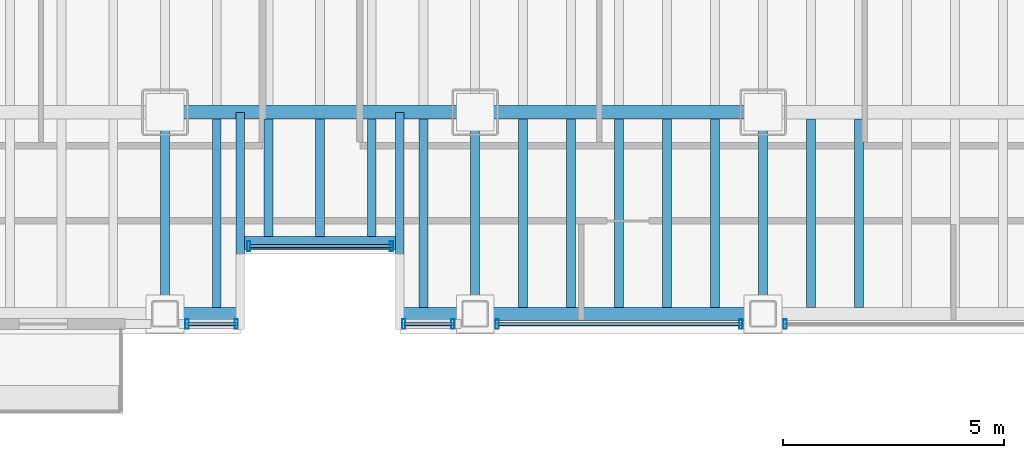
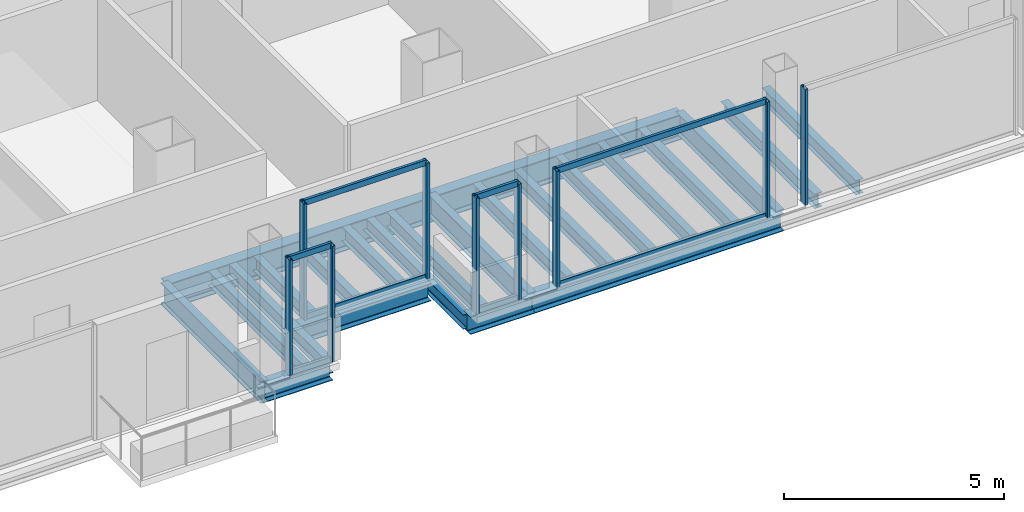
# One storey, part 4 of 20: 23 beams, 17 members, 5 elements without a shape of their own.
"""IFC4 building model written with IfcOpenShell, lengths in metres."""

from ifc_helpers import new_model, si_unit, direction, frame, origin, origin_2d, place, context, subcontext, project, spatial, hollow_rectangle, i_section, extrude, material, material_profile, profile_set, type_object, element, aggregate, save


model = new_model("IFC4")

# Units and contexts
model_context = context("Model", 3, precision=1e-05, world=origin(), true_north=direction((0.0, 1.0)))
body_context = subcontext(model_context, "Body", "Model", "MODEL_VIEW")
ifc_project = project(units=[si_unit("LENGTHUNIT", "METRE"), si_unit("AREAUNIT", "SQUARE_METRE"), si_unit("VOLUMEUNIT", "CUBIC_METRE"), si_unit("PLANEANGLEUNIT", "RADIAN"), si_unit("MASSUNIT", "GRAM", prefix="KILO")], contexts=[model_context])

# Site, building, storey
site_placement = place(None, origin())
site = spatial("IfcSite", under=ifc_project, at=site_placement, CompositionType="ELEMENT")
building_placement = place(site_placement, origin())
building = spatial("IfcBuilding", under=site, at=building_placement, Name="Noeulbin Bourse Tower", CompositionType="ELEMENT")
storey_placement = place(building_placement, frame((0.0, 0.0, 61.60009765625)))
storey = spatial("IfcBuildingStorey", under=building, at=storey_placement, Name="L15", CompositionType="ELEMENT", Elevation=61.60009765625)

# Beams
ifc_material_1 = material(Name="Steel S355", Category="steel")
ifc_material_profile_1 = material_profile(ifc_material_1, i_section(OverallWidth=0.199951171875, OverallDepth=0.60009765625, WebThickness=0.010986328125, FlangeThickness=0.01708984375, FilletRadius=0.02197265625, at=origin_2d()), Name="H-600x200x11x17", Category="LoadBearing")
ifc_profile_set_1 = profile_set([ifc_material_profile_1], Name="Steel S355")
beam_type_1 = type_object("IfcBeamType", Name="BM-GRD-600", PredefinedType="USERDEFINED", material=ifc_profile_set_1)
for number, where, z_axis, x_axis, name in (
    (1, (24.0, 15.449951171875, -0.47998046875), (0.0, 1.0, 0.0), (-1.0, 0.0, 0.0), "Tower Primary Girder NS L15-2.1"),
    (2, (31.0, 15.449951171875, -0.47998046875), (0.0, 1.0, 0.0), (-1.0, 0.0, 0.0), "Tower Primary Girder NS L15-3.1"),
    (3, (37.5, 15.449951171875, -0.47998046875), (0.0, 1.0, 0.0), (-1.0, 0.0, 0.0), "Tower Primary Girder NS L15-4.1"),
):
    element("IfcBeam", number, at=place(storey_placement, frame(where, z_axis=z_axis, x_axis=x_axis)), inside=storey, type_object=beam_type_1, Name=name, ObjectType="GIRDER", PredefinedType="USERDEFINED", context=body_context, shape_type="SweptSolid", body=[
        extrude(i_section(OverallWidth=0.199951171875, OverallDepth=0.60009765625, WebThickness=0.010986328125, FlangeThickness=0.01708984375, FilletRadius=0.02197265625, at=origin_2d()), origin(), (0.0, 0.0, 1.0), 4.550048828125),
    ])
ifc_material_profile_2 = material_profile(ifc_material_1, i_section(OverallWidth=0.300048828125, OverallDepth=0.699951171875, WebThickness=0.012939453125, FlangeThickness=0.02392578125, FilletRadius=0.02392578125, at=origin_2d()), Name="H-700x300x13x24", Category="LoadBearing")
ifc_profile_set_2 = profile_set([ifc_material_profile_2], Name="Steel S355")
beam_type_2 = type_object("IfcBeamType", Name="BM-GRD-700", PredefinedType="USERDEFINED", material=ifc_profile_set_2)
beam_1_placement = place(storey_placement, frame((24.0, 20.0, -0.530029296875), z_axis=(1.0, 0.0, 0.0), x_axis=(0.0, 1.0, 0.0)))
element("IfcBeam", 4, at=beam_1_placement, inside=storey, type_object=beam_type_2, Name="Tower Primary Girder EW L15-1.3", ObjectType="GIRDER", PredefinedType="USERDEFINED", context=body_context, shape_type="SweptSolid", body=[
    extrude(i_section(OverallWidth=0.300048828125, OverallDepth=0.699951171875, WebThickness=0.012939453125, FlangeThickness=0.02392578125, FilletRadius=0.02392578125, at=origin_2d()), origin(), (0.0, 0.0, 1.0), 7.0),
])
beam_2_placement = place(storey_placement, frame((31.0, 20.0, -0.530029296875), z_axis=(1.0, 0.0, 0.0), x_axis=(0.0, 1.0, 0.0)))
element("IfcBeam", 5, at=beam_2_placement, inside=storey, type_object=beam_type_2, Name="Tower Primary Girder EW L15-1.4", ObjectType="GIRDER", PredefinedType="USERDEFINED", context=body_context, shape_type="SweptSolid", body=[
    extrude(i_section(OverallWidth=0.300048828125, OverallDepth=0.699951171875, WebThickness=0.012939453125, FlangeThickness=0.02392578125, FilletRadius=0.02392578125, at=origin_2d()), origin(), (0.0, 0.0, 1.0), 6.5),
])
ifc_material_profile_3 = material_profile(ifc_material_1, i_section(OverallWidth=0.199951171875, OverallDepth=0.39990234375, WebThickness=0.008056640625, FlangeThickness=0.012939453125, FilletRadius=0.01611328125, at=origin_2d()), Name="H-400x200x8x13", Category="LoadBearing")
ifc_profile_set_3 = profile_set([ifc_material_profile_3], Name="Steel S355")
beam_type_3 = type_object("IfcBeamType", Name="BM-SEC-400", PredefinedType="BEAM", material=ifc_profile_set_3)
for number, where, z_axis, x_axis, name in (
    (6, (25.699951171875, 15.449951171875, -0.380126953125), (0.0, 1.0, 0.0), (-1.0, 0.0, 0.0), "BM-L15-SRT-W"),
    (7, (29.300048828125, 15.449951171875, -0.380126953125), (0.0, 1.0, 0.0), (-1.0, 0.0, 0.0), "BM-L15-SRT-E"),
):
    element("IfcBeam", number, at=place(storey_placement, frame(where, z_axis=z_axis, x_axis=x_axis)), inside=storey, type_object=beam_type_3, Name=name, PredefinedType="BEAM", context=body_context, shape_type="SweptSolid", body=[
        extrude(i_section(OverallWidth=0.199951171875, OverallDepth=0.39990234375, WebThickness=0.008056640625, FlangeThickness=0.012939453125, FilletRadius=0.01611328125, at=origin_2d()), origin(), (0.0, 0.0, 1.0), 4.550048828125),
    ])
beam_3_placement = place(storey_placement, frame((25.166748046875, 15.60009765625, -0.380126953125), z_axis=(0.0, 1.0, 0.0), x_axis=(-1.0, 0.0, 0.0)))
element("IfcBeam", 8, at=beam_3_placement, inside=storey, type_object=beam_type_3, Name="Tower Composite Joist L15-25", PredefinedType="BEAM", context=body_context, shape_type="SweptSolid", body=[
    extrude(i_section(OverallWidth=0.199951171875, OverallDepth=0.39990234375, WebThickness=0.008056640625, FlangeThickness=0.012939453125, FilletRadius=0.01611328125, at=origin_2d()), origin(), (0.0, 0.0, 1.0), 4.25),
])
for number, where, z_axis, x_axis, name in (
    (9, (26.333251953125, 17.199951171875, -0.380126953125), (0.0, 1.0, 0.0), (-1.0, 0.0, 0.0), "Tower Composite Joist L15-28"),
    (10, (27.5, 17.199951171875, -0.380126953125), (0.0, 1.0, 0.0), (-1.0, 0.0, 0.0), "Tower Composite Joist L15-31"),
    (11, (28.666748046875, 17.199951171875, -0.380126953125), (0.0, 1.0, 0.0), (-1.0, 0.0, 0.0), "Tower Composite Joist L15-34"),
):
    element("IfcBeam", number, at=place(storey_placement, frame(where, z_axis=z_axis, x_axis=x_axis)), inside=storey, type_object=beam_type_3, Name=name, PredefinedType="BEAM", context=body_context, shape_type="SweptSolid", body=[
        extrude(i_section(OverallWidth=0.199951171875, OverallDepth=0.39990234375, WebThickness=0.008056640625, FlangeThickness=0.012939453125, FilletRadius=0.01611328125, at=origin_2d()), origin(), (0.0, 0.0, 1.0), 2.650146484375),
    ])
for number, where, z_axis, x_axis, name in (
    (12, (29.833251953125, 15.60009765625, -0.380126953125), (0.0, 1.0, 0.0), (-1.0, 0.0, 0.0), "Tower Composite Joist L15-37"),
    (13, (32.083251953125, 15.60009765625, -0.380126953125), (0.0, 1.0, 0.0), (-1.0, 0.0, 0.0), "Tower Composite Joist L15-40"),
    (14, (33.166748046875, 15.60009765625, -0.380126953125), (0.0, 1.0, 0.0), (-1.0, 0.0, 0.0), "Tower Composite Joist L15-43"),
    (15, (34.25, 15.60009765625, -0.380126953125), (0.0, 1.0, 0.0), (-1.0, 0.0, 0.0), "Tower Composite Joist L15-46"),
    (16, (35.333251953125, 15.60009765625, -0.380126953125), (0.0, 1.0, 0.0), (-1.0, 0.0, 0.0), "Tower Composite Joist L15-49"),
    (17, (36.416748046875, 15.60009765625, -0.380126953125), (0.0, 1.0, 0.0), (-1.0, 0.0, 0.0), "Tower Composite Joist L15-52"),
    (18, (38.583251953125, 15.60009765625, -0.380126953125), (0.0, 1.0, 0.0), (-1.0, 0.0, 0.0), "Tower Composite Joist L15-55"),
    (19, (39.666748046875, 15.60009765625, -0.380126953125), (0.0, 1.0, 0.0), (-1.0, 0.0, 0.0), "Tower Composite Joist L15-58"),
):
    element("IfcBeam", number, at=place(storey_placement, frame(where, z_axis=z_axis, x_axis=x_axis)), inside=storey, type_object=beam_type_3, Name=name, PredefinedType="BEAM", context=body_context, shape_type="SweptSolid", body=[
        extrude(i_section(OverallWidth=0.199951171875, OverallDepth=0.39990234375, WebThickness=0.008056640625, FlangeThickness=0.012939453125, FilletRadius=0.01611328125, at=origin_2d()), origin(), (0.0, 0.0, 1.0), 4.25),
    ])
ifc_material_profile_4 = material_profile(ifc_material_1, i_section(OverallWidth=0.300048828125, OverallDepth=0.488037109375, WebThickness=0.010986328125, FlangeThickness=0.01806640625, FilletRadius=0.02197265625, at=origin_2d()), Name="H-488x300x11x18", Category="LoadBearing")
ifc_profile_set_4 = profile_set([ifc_material_profile_4], Name="Steel S355")
beam_type_4 = type_object("IfcBeamType", Name="BM-SPN-488", PredefinedType="SPANDREL", material=ifc_profile_set_4)
beam_4_placement = place(storey_placement, frame((25.800048828125, 17.050048828125, -0.424072265625), z_axis=(1.0, 0.0, 0.0), x_axis=(0.0, 1.0, 0.0)))
element("IfcBeam", 20, at=beam_4_placement, inside=storey, type_object=beam_type_4, Name="South Recess Spandrel L15-2B", PredefinedType="SPANDREL", context=body_context, shape_type="SweptSolid", body=[
    extrude(i_section(OverallWidth=0.300048828125, OverallDepth=0.488037109375, WebThickness=0.010986328125, FlangeThickness=0.01806640625, FilletRadius=0.02197265625, at=origin_2d()), origin(), (0.0, 0.0, 1.0), 3.39990234375),
])
for number, where, z_axis, x_axis, name in (
    (21, (24.0, 15.449951171875, -0.424072265625), (1.0, 0.0, 0.0), (0.0, 1.0, 0.0), "South Spandrel L15-2A"),
    (22, (29.300048828125, 15.449951171875, -0.424072265625), (1.0, 0.0, 0.0), (0.0, 1.0, 0.0), "South Spandrel L15-2C"),
):
    element("IfcBeam", number, at=place(storey_placement, frame(where, z_axis=z_axis, x_axis=x_axis)), inside=storey, type_object=beam_type_4, Name=name, PredefinedType="SPANDREL", context=body_context, shape_type="SweptSolid", body=[
        extrude(i_section(OverallWidth=0.300048828125, OverallDepth=0.488037109375, WebThickness=0.010986328125, FlangeThickness=0.01806640625, FilletRadius=0.02197265625, at=origin_2d()), origin(), (0.0, 0.0, 1.0), 1.699951171875),
    ])
beam_5_placement = place(storey_placement, frame((31.0, 15.449951171875, -0.424072265625), z_axis=(1.0, 0.0, 0.0), x_axis=(0.0, 1.0, 0.0)))
element("IfcBeam", 23, at=beam_5_placement, inside=storey, type_object=beam_type_4, Name="South Spandrel L15-3", PredefinedType="SPANDREL", context=body_context, shape_type="SweptSolid", body=[
    extrude(i_section(OverallWidth=0.300048828125, OverallDepth=0.488037109375, WebThickness=0.010986328125, FlangeThickness=0.01806640625, FilletRadius=0.02197265625, at=origin_2d()), origin(), (0.0, 0.0, 1.0), 6.5),
])

# Curtain wall, members
ifc_material_2 = material(Name="Dark Solar-Control Double Glazing", Category="glass")
curtain_wall_type = type_object("IfcCurtainWallType", Name="CW-SYS-2", PredefinedType="NOTDEFINED", material=ifc_material_2)
curtain_wall_1_placement = place(storey_placement, origin())
curtain_wall_1 = element("IfcCurtainWall", 24, at=curtain_wall_1_placement, inside=storey, type_object=curtain_wall_type, Name="Unitised Curtain Wall CW-L15-SREC", PredefinedType="NOTDEFINED")
ifc_material_3 = material(Name="Anodised Aluminium 6063-T6", Category="aluminium")
ifc_material_profile_5 = material_profile(ifc_material_3, hollow_rectangle(XDim=0.074951171875, YDim=0.219970703125, WallThickness=0.0048828125, InnerFilletRadius=0.00244140625, OuterFilletRadius=0.0048828125, at=origin_2d()), Name="ALU-MULL-75x220x5", Category="LoadBearing")
ifc_profile_set_5 = profile_set([ifc_material_profile_5], Name="Anodised Aluminium 6063-T6")
member_type_1 = type_object("IfcMemberType", Name="CW-SYS-2-MUL", PredefinedType="MULLION", material=ifc_profile_set_5)
member_1_placement = place(storey_placement, frame((25.889892578125, 16.97998046875, -0.02001953125), z_axis=(0.0, 0.0, 1.0), x_axis=(1.0, 0.0, 0.0)))
member_1 = element("IfcMember", 25, at=member_1_placement, type_object=member_type_1, Name="Curtain Wall Mullion CW-L15-SREC-M00", PredefinedType="MULLION", context=body_context, shape_type="SweptSolid", body=[
    extrude(hollow_rectangle(XDim=0.074951171875, YDim=0.219970703125, WallThickness=0.0048828125, InnerFilletRadius=0.00244140625, OuterFilletRadius=0.0048828125, at=origin_2d()), origin(), (0.0, 0.0, 1.0), 3.219970703125),
])
member_2_placement = place(storey_placement, frame((29.110107421875, 16.97998046875, -0.02001953125), z_axis=(0.0, 0.0, 1.0), x_axis=(1.0, 0.0, 0.0)))
member_2 = element("IfcMember", 26, at=member_2_placement, type_object=member_type_1, Name="Curtain Wall Mullion CW-L15-SREC-M01", PredefinedType="MULLION", context=body_context, shape_type="SweptSolid", body=[
    extrude(hollow_rectangle(XDim=0.074951171875, YDim=0.219970703125, WallThickness=0.0048828125, InnerFilletRadius=0.00244140625, OuterFilletRadius=0.0048828125, at=origin_2d()), origin(), (0.0, 0.0, 1.0), 3.219970703125),
])

curtain_wall_2_placement = place(storey_placement, origin())
curtain_wall_2 = element("IfcCurtainWall", 27, at=curtain_wall_2_placement, inside=storey, type_object=curtain_wall_type, Name="Unitised Curtain Wall CW-L15-S2", PredefinedType="NOTDEFINED")
member_3_placement = place(storey_placement, frame((24.5, 15.219970703125, -0.02001953125), z_axis=(0.0, 0.0, 1.0), x_axis=(1.0, 0.0, 0.0)))
member_3 = element("IfcMember", 28, at=member_3_placement, type_object=member_type_1, Name="Curtain Wall Mullion CW-L15-S2-M00", PredefinedType="MULLION", context=body_context, shape_type="SweptSolid", body=[
    extrude(hollow_rectangle(XDim=0.074951171875, YDim=0.219970703125, WallThickness=0.0048828125, InnerFilletRadius=0.00244140625, OuterFilletRadius=0.0048828125, at=origin_2d()), origin(), (0.0, 0.0, 1.0), 3.219970703125),
])
member_4_placement = place(storey_placement, frame((25.610107421875, 15.219970703125, -0.02001953125), z_axis=(0.0, 0.0, 1.0), x_axis=(1.0, 0.0, 0.0)))
member_4 = element("IfcMember", 29, at=member_4_placement, type_object=member_type_1, Name="Curtain Wall Mullion CW-L15-S2-M01", PredefinedType="MULLION", context=body_context, shape_type="SweptSolid", body=[
    extrude(hollow_rectangle(XDim=0.074951171875, YDim=0.219970703125, WallThickness=0.0048828125, InnerFilletRadius=0.00244140625, OuterFilletRadius=0.0048828125, at=origin_2d()), origin(), (0.0, 0.0, 1.0), 3.219970703125),
])

curtain_wall_3_placement = place(storey_placement, origin())
curtain_wall_3 = element("IfcCurtainWall", 30, at=curtain_wall_3_placement, inside=storey, type_object=curtain_wall_type, Name="Unitised Curtain Wall CW-L15-S3-S1", PredefinedType="NOTDEFINED")
member_5_placement = place(storey_placement, frame((29.389892578125, 15.219970703125, -0.02001953125), z_axis=(0.0, 0.0, 1.0), x_axis=(1.0, 0.0, 0.0)))
member_5 = element("IfcMember", 31, at=member_5_placement, type_object=member_type_1, Name="Curtain Wall Mullion CW-L15-S3-S1-M00", PredefinedType="MULLION", context=body_context, shape_type="SweptSolid", body=[
    extrude(hollow_rectangle(XDim=0.074951171875, YDim=0.219970703125, WallThickness=0.0048828125, InnerFilletRadius=0.00244140625, OuterFilletRadius=0.0048828125, at=origin_2d()), origin(), (0.0, 0.0, 1.0), 3.219970703125),
])
member_6_placement = place(storey_placement, frame((30.5, 15.219970703125, -0.02001953125), z_axis=(0.0, 0.0, 1.0), x_axis=(1.0, 0.0, 0.0)))
member_6 = element("IfcMember", 32, at=member_6_placement, type_object=member_type_1, Name="Curtain Wall Mullion CW-L15-S3-S1-M01", PredefinedType="MULLION", context=body_context, shape_type="SweptSolid", body=[
    extrude(hollow_rectangle(XDim=0.074951171875, YDim=0.219970703125, WallThickness=0.0048828125, InnerFilletRadius=0.00244140625, OuterFilletRadius=0.0048828125, at=origin_2d()), origin(), (0.0, 0.0, 1.0), 3.219970703125),
])

curtain_wall_4_placement = place(storey_placement, origin())
curtain_wall_4 = element("IfcCurtainWall", 33, at=curtain_wall_4_placement, inside=storey, type_object=curtain_wall_type, Name="Unitised Curtain Wall CW-L15-S3-S2", PredefinedType="NOTDEFINED")
member_7_placement = place(storey_placement, frame((31.5, 15.219970703125, -0.02001953125), z_axis=(0.0, 0.0, 1.0), x_axis=(1.0, 0.0, 0.0)))
member_7 = element("IfcMember", 34, at=member_7_placement, type_object=member_type_1, Name="Curtain Wall Mullion CW-L15-S3-S2-M00", PredefinedType="MULLION", context=body_context, shape_type="SweptSolid", body=[
    extrude(hollow_rectangle(XDim=0.074951171875, YDim=0.219970703125, WallThickness=0.0048828125, InnerFilletRadius=0.00244140625, OuterFilletRadius=0.0048828125, at=origin_2d()), origin(), (0.0, 0.0, 1.0), 3.219970703125),
])
member_8_placement = place(storey_placement, frame((37.0, 15.219970703125, -0.02001953125), z_axis=(0.0, 0.0, 1.0), x_axis=(1.0, 0.0, 0.0)))
member_8 = element("IfcMember", 35, at=member_8_placement, type_object=member_type_1, Name="Curtain Wall Mullion CW-L15-S3-S2-M01", PredefinedType="MULLION", context=body_context, shape_type="SweptSolid", body=[
    extrude(hollow_rectangle(XDim=0.074951171875, YDim=0.219970703125, WallThickness=0.0048828125, InnerFilletRadius=0.00244140625, OuterFilletRadius=0.0048828125, at=origin_2d()), origin(), (0.0, 0.0, 1.0), 3.219970703125),
])

# Curtain wall, member
curtain_wall_5_placement = place(storey_placement, origin())
curtain_wall_5 = element("IfcCurtainWall", 36, at=curtain_wall_5_placement, inside=storey, type_object=curtain_wall_type, Name="Unitised Curtain Wall CW-L15-S3-S3", PredefinedType="NOTDEFINED")
member_9_placement = place(storey_placement, frame((38.0, 15.219970703125, -0.02001953125), z_axis=(0.0, 0.0, 1.0), x_axis=(1.0, 0.0, 0.0)))
member_9 = element("IfcMember", 37, at=member_9_placement, type_object=member_type_1, Name="Curtain Wall Mullion CW-L15-S3-S3-M00", PredefinedType="MULLION", context=body_context, shape_type="SweptSolid", body=[
    extrude(hollow_rectangle(XDim=0.074951171875, YDim=0.219970703125, WallThickness=0.0048828125, InnerFilletRadius=0.00244140625, OuterFilletRadius=0.0048828125, at=origin_2d()), origin(), (0.0, 0.0, 1.0), 3.219970703125),
])
aggregate(curtain_wall_5, [member_9])

# Member
ifc_material_profile_6 = material_profile(ifc_material_3, hollow_rectangle(XDim=0.074951171875, YDim=0.159912109375, WallThickness=0.0048828125, InnerFilletRadius=0.00244140625, OuterFilletRadius=0.0048828125, at=origin_2d()), Name="ALU-TRAN-75x160x5", Category="LoadBearing")
ifc_profile_set_6 = profile_set([ifc_material_profile_6], Name="Anodised Aluminium 6063-T6")
member_type_2 = type_object("IfcMemberType", Name="CW-SYS-2-TRN", PredefinedType="USERDEFINED", material=ifc_profile_set_6)
member_10_placement = place(storey_placement, frame((25.89990234375, 16.97998046875, 0.010009765625), z_axis=(1.0, 0.0, 0.0), x_axis=(0.0, 1.0, 0.0)))
member_10 = element("IfcMember", 38, at=member_10_placement, type_object=member_type_2, Name="Curtain Wall Transom CW-L15-SREC-T00", ObjectType="TRANSOM", PredefinedType="USERDEFINED", context=body_context, shape_type="SweptSolid", body=[
    extrude(hollow_rectangle(XDim=0.074951171875, YDim=0.159912109375, WallThickness=0.0048828125, InnerFilletRadius=0.00244140625, OuterFilletRadius=0.0048828125, at=origin_2d()), origin(), (0.0, 0.0, 1.0), 3.2001953125),
])

member_11_placement = place(storey_placement, frame((25.89990234375, 16.97998046875, 3.169921875), z_axis=(1.0, 0.0, 0.0), x_axis=(0.0, 1.0, 0.0)))
member_11 = element("IfcMember", 39, at=member_11_placement, type_object=member_type_2, Name="Curtain Wall Transom CW-L15-SREC-T01", ObjectType="TRANSOM", PredefinedType="USERDEFINED", context=body_context, shape_type="SweptSolid", body=[
    extrude(hollow_rectangle(XDim=0.074951171875, YDim=0.159912109375, WallThickness=0.0048828125, InnerFilletRadius=0.00244140625, OuterFilletRadius=0.0048828125, at=origin_2d()), origin(), (0.0, 0.0, 1.0), 3.2001953125),
])

aggregate(curtain_wall_1, [member_1, member_2, member_10, member_11])

member_12_placement = place(storey_placement, frame((24.510009765625, 15.219970703125, 0.010009765625), z_axis=(1.0, 0.0, 0.0), x_axis=(0.0, 1.0, 0.0)))
member_12 = element("IfcMember", 40, at=member_12_placement, type_object=member_type_2, Name="Curtain Wall Transom CW-L15-S2-T00", ObjectType="TRANSOM", PredefinedType="USERDEFINED", context=body_context, shape_type="SweptSolid", body=[
    extrude(hollow_rectangle(XDim=0.074951171875, YDim=0.159912109375, WallThickness=0.0048828125, InnerFilletRadius=0.00244140625, OuterFilletRadius=0.0048828125, at=origin_2d()), origin(), (0.0, 0.0, 1.0), 1.090087890625),
])

member_13_placement = place(storey_placement, frame((24.510009765625, 15.219970703125, 3.169921875), z_axis=(1.0, 0.0, 0.0), x_axis=(0.0, 1.0, 0.0)))
member_13 = element("IfcMember", 41, at=member_13_placement, type_object=member_type_2, Name="Curtain Wall Transom CW-L15-S2-T01", ObjectType="TRANSOM", PredefinedType="USERDEFINED", context=body_context, shape_type="SweptSolid", body=[
    extrude(hollow_rectangle(XDim=0.074951171875, YDim=0.159912109375, WallThickness=0.0048828125, InnerFilletRadius=0.00244140625, OuterFilletRadius=0.0048828125, at=origin_2d()), origin(), (0.0, 0.0, 1.0), 1.090087890625),
])

aggregate(curtain_wall_2, [member_3, member_4, member_12, member_13])

member_14_placement = place(storey_placement, frame((29.39990234375, 15.219970703125, 0.010009765625), z_axis=(1.0, 0.0, 0.0), x_axis=(0.0, 1.0, 0.0)))
member_14 = element("IfcMember", 42, at=member_14_placement, type_object=member_type_2, Name="Curtain Wall Transom CW-L15-S3-S1-T00", ObjectType="TRANSOM", PredefinedType="USERDEFINED", context=body_context, shape_type="SweptSolid", body=[
    extrude(hollow_rectangle(XDim=0.074951171875, YDim=0.159912109375, WallThickness=0.0048828125, InnerFilletRadius=0.00244140625, OuterFilletRadius=0.0048828125, at=origin_2d()), origin(), (0.0, 0.0, 1.0), 1.090087890625),
])

member_15_placement = place(storey_placement, frame((29.39990234375, 15.219970703125, 3.169921875), z_axis=(1.0, 0.0, 0.0), x_axis=(0.0, 1.0, 0.0)))
member_15 = element("IfcMember", 43, at=member_15_placement, type_object=member_type_2, Name="Curtain Wall Transom CW-L15-S3-S1-T01", ObjectType="TRANSOM", PredefinedType="USERDEFINED", context=body_context, shape_type="SweptSolid", body=[
    extrude(hollow_rectangle(XDim=0.074951171875, YDim=0.159912109375, WallThickness=0.0048828125, InnerFilletRadius=0.00244140625, OuterFilletRadius=0.0048828125, at=origin_2d()), origin(), (0.0, 0.0, 1.0), 1.090087890625),
])

aggregate(curtain_wall_3, [member_5, member_6, member_14, member_15])

member_16_placement = place(storey_placement, frame((31.510009765625, 15.219970703125, 0.010009765625), z_axis=(1.0, 0.0, 0.0), x_axis=(0.0, 1.0, 0.0)))
member_16 = element("IfcMember", 44, at=member_16_placement, type_object=member_type_2, Name="Curtain Wall Transom CW-L15-S3-S2-T00", ObjectType="TRANSOM", PredefinedType="USERDEFINED", context=body_context, shape_type="SweptSolid", body=[
    extrude(hollow_rectangle(XDim=0.074951171875, YDim=0.159912109375, WallThickness=0.0048828125, InnerFilletRadius=0.00244140625, OuterFilletRadius=0.0048828125, at=origin_2d()), origin(), (0.0, 0.0, 1.0), 5.47998046875),
])

member_17_placement = place(storey_placement, frame((31.510009765625, 15.219970703125, 3.169921875), z_axis=(1.0, 0.0, 0.0), x_axis=(0.0, 1.0, 0.0)))
member_17 = element("IfcMember", 45, at=member_17_placement, type_object=member_type_2, Name="Curtain Wall Transom CW-L15-S3-S2-T01", ObjectType="TRANSOM", PredefinedType="USERDEFINED", context=body_context, shape_type="SweptSolid", body=[
    extrude(hollow_rectangle(XDim=0.074951171875, YDim=0.159912109375, WallThickness=0.0048828125, InnerFilletRadius=0.00244140625, OuterFilletRadius=0.0048828125, at=origin_2d()), origin(), (0.0, 0.0, 1.0), 5.47998046875),
])

aggregate(curtain_wall_4, [member_7, member_8, member_16, member_17])

save(model, "model.ifc")
